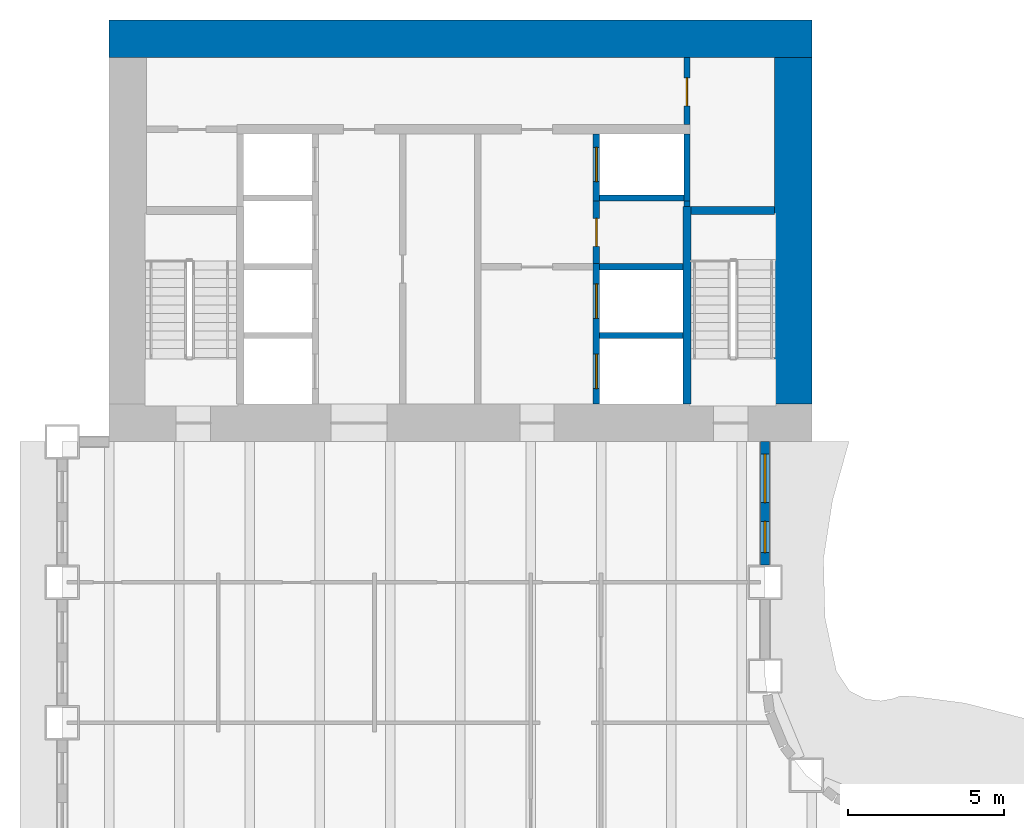
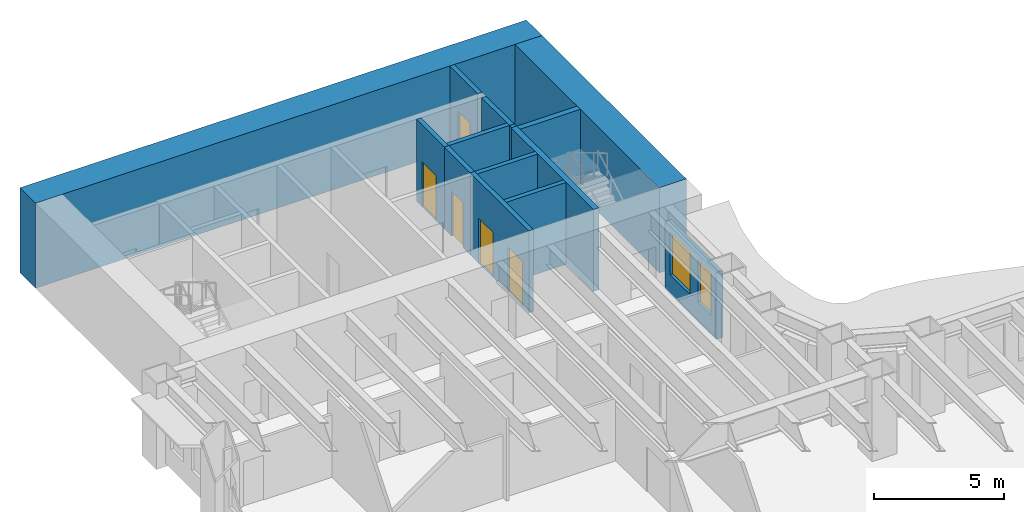
# One storey, part 8 of 15: 14 walls, 5 doors, 2 windows, 7 openings.
"""IFC4 building model written with IfcOpenShell, lengths in metres."""

from ifc_helpers import new_model, si_unit, direction, frame, frame_2d, origin, place, context, subcontext, project, spatial, rectangle, extrude, material, layer, layer_set, type_object, element, fill, save


model = new_model("IFC4")

# Units and contexts
model_context = context("Model", 3, precision=1e-05, world=origin(), true_north=direction((0.0, 1.0)))
body_context = subcontext(model_context, "Body", "Model", "MODEL_VIEW")
ifc_project = project(units=[si_unit("LENGTHUNIT", "METRE"), si_unit("AREAUNIT", "SQUARE_METRE"), si_unit("VOLUMEUNIT", "CUBIC_METRE"), si_unit("PLANEANGLEUNIT", "RADIAN"), si_unit("MASSUNIT", "GRAM", prefix="KILO")], contexts=[model_context])

# Site, building, storey
site_placement = place(None, origin())
site = spatial("IfcSite", under=ifc_project, at=site_placement, CompositionType="ELEMENT")
building_placement = place(site_placement, origin())
building = spatial("IfcBuilding", under=site, at=building_placement, Name="Sennacour Bend Tower", CompositionType="ELEMENT")
storey_placement = place(building_placement, frame((0.0, 0.0, 65.0)))
storey = spatial("IfcBuildingStorey", under=building, at=storey_placement, Name="L14", CompositionType="ELEMENT", Elevation=65.0)

# Walls
ifc_material_1 = material(Name="Concrete C80/95", Category="concrete")
ifc_layer_1 = layer(ifc_material_1, 1.199951171875, Name="Concrete C80/95", Category="concrete")
ifc_layer_set_1 = layer_set([ifc_layer_1], Name="Concrete C80/95")
wall_type_1 = type_object("IfcWallType", Name="Core wall 1200 C80/95", PredefinedType="SHEAR", material=ifc_layer_set_1)
wall_1_placement = place(storey_placement, frame((0.0, 48.89990234375, -0.14990234375), z_axis=(0.0, 0.0, 1.0), x_axis=(1.0, 0.0, 0.0)))
element("IfcWall", 1, at=wall_1_placement, inside=storey, type_object=wall_type_1, Name="Core B wall L14 N", PredefinedType="SHEAR", context=body_context, shape_type="SweptSolid", body=[
    extrude(rectangle(XDim=22.5, YDim=1.199951171875, at=frame_2d((11.25, 0.0))), origin(), (0.0, 0.0, 1.0), 4.0),
])
wall_2_placement = place(storey_placement, frame((21.89990234375, 37.199951171875, -0.14990234375), z_axis=(0.0, 0.0, 1.0), x_axis=(0.0, 1.0, 0.0)))
element("IfcWall", 2, at=wall_2_placement, inside=storey, type_object=wall_type_1, Name="Core B wall L14 E", PredefinedType="SHEAR", context=body_context, shape_type="SweptSolid", body=[
    extrude(rectangle(XDim=11.10009765625, YDim=1.199951171875, at=frame_2d((5.550048828125, 0.0))), origin(), (0.0, 0.0, 1.0), 4.0),
])

# Wall, opening, door
ifc_material_2 = material(Name="Fire-rated plasterboard partition on steel studs", Category="steel")
ifc_layer_2 = layer(ifc_material_2, 0.199951171875, Name="Fire-rated plasterboard partition on steel studs", Category="steel")
ifc_layer_set_2 = layer_set([ifc_layer_2], Name="Fire-rated plasterboard partition on steel studs")
wall_type_2 = type_object("IfcWallType", Name="Rated partition 200", PredefinedType="PARTITIONING", material=ifc_layer_set_2)
wall_3_placement = place(storey_placement, frame((15.60009765625, 41.699951171875, 0.0), z_axis=(0.0, 0.0, 1.0), x_axis=(0.0, 1.0, 0.0)))
wall_3 = element("IfcWall", 3, at=wall_3_placement, inside=storey, type_object=wall_type_2, Name="P-L14-W015", PredefinedType="PARTITIONING", context=body_context, shape_type="SweptSolid", body=[
    extrude(rectangle(XDim=2.0, YDim=0.199951171875, at=frame_2d((1.0, 0.0))), origin(), (0.0, 0.0, 1.0), 3.85009765625),
])
opening_1_placement = place(wall_3_placement, frame((0.550048828125, 0.0, 0.0)))
opening_1 = element("IfcOpeningElement", 4, at=opening_1_placement, cuts=wall_3, Name="Opening SV", PredefinedType="OPENING", context=body_context, shape_type="SweptSolid", body=[
    extrude(rectangle(XDim=0.89990234375, YDim=2.10009765625, at=frame_2d((0.449951171875, 1.050048828125))), frame((0.0, 0.10986328125, 0.0), z_axis=(0.0, -1.0, 0.0), x_axis=(1.0, 0.0, 0.0)), (0.0, 0.0, 1.0), 0.219970703125),
])
ifc_material_3 = material(Name="Painted steel", Category="steel")
door_type_1 = type_object("IfcDoorType", Name="DR-SERVICE-900", OperationType="NOTDEFINED", PredefinedType="DOOR", material=ifc_material_3)
door_1_placement = place(opening_1_placement, origin())
door_1 = element("IfcDoor", 5, at=door_1_placement, inside=storey, type_object=door_type_1, Name="Door", OperationType="SINGLE_SWING_RIGHT", OverallHeight=2.10009765625, OverallWidth=0.89990234375, PredefinedType="DOOR", context=body_context, shape_type="SweptSolid", body=[
    extrude(rectangle(XDim=0.89990234375, YDim=2.10009765625, at=frame_2d((0.449951171875, 1.050048828125))), frame((0.0, 0.02490234375, 0.0), z_axis=(0.0, -1.0, 0.0), x_axis=(1.0, 0.0, 0.0)), (0.0, 0.0, 1.0), 0.050048828125),
])
fill(opening_1, door_1)

# Wall
wall_4_placement = place(storey_placement, frame((18.5, 43.52490234375, 0.0), z_axis=(0.0, 0.0, 1.0), x_axis=(0.0, 1.0, 0.0)))
element("IfcWall", 6, at=wall_4_placement, inside=storey, type_object=wall_type_2, Name="P-L14-W019", PredefinedType="PARTITIONING", context=body_context, shape_type="SweptSolid", body=[
    extrude(rectangle(XDim=0.175048828125, YDim=0.199951171875, at=frame_2d((0.08740234375, 0.0))), origin(), (0.0, 0.0, 1.0), 3.85009765625),
])

# Wall, opening, door
wall_5_placement = place(storey_placement, frame((18.5, 46.14990234375, 0.0), z_axis=(0.0, 0.0, 1.0), x_axis=(0.0, 1.0, 0.0)))
wall_5 = element("IfcWall", 7, at=wall_5_placement, inside=storey, type_object=wall_type_2, Name="P-L14-W021", PredefinedType="PARTITIONING", context=body_context, shape_type="SweptSolid", body=[
    extrude(rectangle(XDim=2.150146484375, YDim=0.199951171875, at=frame_2d((1.0751953125, 0.0))), origin(), (0.0, 0.0, 1.0), 3.85009765625),
])
opening_2_placement = place(wall_5_placement, frame((0.60009765625, 0.0, 0.0)))
opening_2 = element("IfcOpeningElement", 8, at=opening_2_placement, cuts=wall_5, Name="Opening SV", PredefinedType="OPENING", context=body_context, shape_type="SweptSolid", body=[
    extrude(rectangle(XDim=0.89990234375, YDim=2.10009765625, at=frame_2d((0.449951171875, 1.050048828125))), frame((0.0, 0.10986328125, 0.0), z_axis=(0.0, -1.0, 0.0), x_axis=(1.0, 0.0, 0.0)), (0.0, 0.0, 1.0), 0.219970703125),
])
door_2_placement = place(opening_2_placement, origin())
door_2 = element("IfcDoor", 9, at=door_2_placement, inside=storey, type_object=door_type_1, Name="Door", OperationType="SINGLE_SWING_LEFT", OverallHeight=2.10009765625, OverallWidth=0.89990234375, PredefinedType="DOOR", context=body_context, shape_type="SweptSolid", body=[
    extrude(rectangle(XDim=0.89990234375, YDim=2.10009765625, at=frame_2d((0.449951171875, 1.050048828125))), frame((0.0, 0.02490234375, 0.0), z_axis=(0.0, -1.0, 0.0), x_axis=(1.0, 0.0, 0.0)), (0.0, 0.0, 1.0), 0.050048828125),
])
fill(opening_2, door_2)

# Wall, openings, windows
ifc_material_4 = material(Name="Warm limestone cladding", Category="masonry")
ifc_layer_3 = layer(ifc_material_4, 0.050048828125, Name="Warm limestone cladding", Category="masonry")
ifc_material_5 = material(Name="Precast concrete C40/50", Category="concrete")
ifc_layer_4 = layer(ifc_material_5, 0.25, Name="Precast concrete C40/50", Category="concrete")
ifc_layer_set_3 = layer_set([ifc_layer_3, ifc_layer_4], Name="Precast concrete C40/50 with limestone cladding")
wall_type_3 = type_object("IfcWallType", Name="STONE-CLAD PRECAST SPANDREL 300", PredefinedType="STANDARD", material=ifc_layer_set_3)
wall_6_placement = place(storey_placement, frame((21.0, 32.050048828125, 0.0), z_axis=(0.0, 0.0, 1.0), x_axis=(0.0, 1.0, 0.0)))
wall_6 = element("IfcWall", 10, at=wall_6_placement, inside=storey, type_object=wall_type_3, Name="Stone spandrel and pier wall L14 15.01", PredefinedType="STANDARD", context=body_context, shape_type="SweptSolid", body=[
    extrude(rectangle(XDim=3.949951171875, YDim=0.300048828125, at=frame_2d((1.97509765625, 0.0))), origin(), (0.0, 0.0, 1.0), 3.14404296875),
])
opening_3_placement = place(wall_6_placement, frame((0.39990234375, 0.0, 0.89990234375)))
opening_3 = element("IfcOpeningElement", 11, at=opening_3_placement, cuts=wall_6, Name="Opening W8", PredefinedType="OPENING", context=body_context, shape_type="SweptSolid", body=[
    extrude(rectangle(XDim=1.0, YDim=2.0, at=frame_2d((0.5, 1.0))), frame((0.0, 0.16015625, 0.0), z_axis=(0.0, -1.0, 0.0), x_axis=(1.0, 0.0, 0.0)), (0.0, 0.0, 1.0), 0.320068359375),
])
opening_4_placement = place(wall_6_placement, frame((2.0, 0.0, 0.89990234375)))
opening_4 = element("IfcOpeningElement", 12, at=opening_4_placement, cuts=wall_6, Name="Opening W9", PredefinedType="OPENING", context=body_context, shape_type="SweptSolid", body=[
    extrude(rectangle(XDim=1.550048828125, YDim=2.0, at=frame_2d((0.77490234375, 1.0))), frame((0.0, 0.16015625, 0.0), z_axis=(0.0, -1.0, 0.0), x_axis=(1.0, 0.0, 0.0)), (0.0, 0.0, 1.0), 0.320068359375),
])
ifc_material_6 = material(Name="Clear low-emissivity glass", Category="glass")
window_type_1 = type_object("IfcWindowType", Name="WIN-RIBBON-1000x2000", PartitioningType="SINGLE_PANEL", PredefinedType="WINDOW", material=ifc_material_6)
window_1_placement = place(opening_3_placement, origin())
window_1 = element("IfcWindow", 13, at=window_1_placement, inside=storey, type_object=window_type_1, Name="Ribbon window L14 15.01.0", OverallHeight=2.0, OverallWidth=1.0, PartitioningType="SINGLE_PANEL", PredefinedType="WINDOW", context=body_context, shape_type="SweptSolid", body=[
    extrude(rectangle(XDim=1.0, YDim=2.0, at=frame_2d((0.5, 1.0))), frame((0.0, 0.030029296875, 0.0), z_axis=(0.0, -1.0, 0.0), x_axis=(1.0, 0.0, 0.0)), (0.0, 0.0, 1.0), 0.06005859375),
])
fill(opening_3, window_1)
window_type_2 = type_object("IfcWindowType", Name="WIN-RIBBON-1550x2000", PartitioningType="SINGLE_PANEL", PredefinedType="WINDOW", material=ifc_material_6)
window_2_placement = place(opening_4_placement, origin())
window_2 = element("IfcWindow", 14, at=window_2_placement, inside=storey, type_object=window_type_2, Name="Ribbon window L14 15.01.1", OverallHeight=2.0, OverallWidth=1.550048828125, PartitioningType="SINGLE_PANEL", PredefinedType="WINDOW", context=body_context, shape_type="SweptSolid", body=[
    extrude(rectangle(XDim=1.550048828125, YDim=2.0, at=frame_2d((0.77490234375, 1.0))), frame((0.0, 0.030029296875, 0.0), z_axis=(0.0, -1.0, 0.0), x_axis=(1.0, 0.0, 0.0)), (0.0, 0.0, 1.0), 0.06005859375),
])
fill(opening_4, window_2)

# Wall, openings, doors
ifc_material_7 = material(Name="Concrete C50/60", Category="concrete")
ifc_layer_5 = layer(ifc_material_7, 0.199951171875, Name="Concrete C50/60", Category="concrete")
ifc_layer_set_4 = layer_set([ifc_layer_5], Name="Concrete C50/60")
wall_type_4 = type_object("IfcWallType", Name="Shaft wall 200", PredefinedType="SOLIDWALL", material=ifc_layer_set_4)
wall_7_placement = place(storey_placement, frame((15.60009765625, 37.199951171875, 0.0), z_axis=(0.0, 0.0, 1.0), x_axis=(0.0, 1.0, 0.0)))
wall_7 = element("IfcWall", 15, at=wall_7_placement, inside=storey, type_object=wall_type_4, Name="P-L14-W014", PredefinedType="SOLIDWALL", context=body_context, shape_type="SweptSolid", body=[
    extrude(rectangle(XDim=4.5, YDim=0.199951171875, at=frame_2d((2.25, 0.0))), origin(), (0.0, 0.0, 1.0), 3.85009765625),
])
opening_5_placement = place(wall_7_placement, frame((0.5, 0.0, 0.011962890625)))
opening_5 = element("IfcOpeningElement", 16, at=opening_5_placement, cuts=wall_7, Name="Opening FLD", PredefinedType="OPENING", context=body_context, shape_type="SweptSolid", body=[
    extrude(rectangle(XDim=1.10009765625, YDim=2.10009765625, at=frame_2d((0.550048828125, 1.050048828125))), frame((0.0, 0.10986328125, 0.0), z_axis=(0.0, -1.0, 0.0), x_axis=(1.0, 0.0, 0.0)), (0.0, 0.0, 1.0), 0.219970703125),
])
opening_6_placement = place(wall_7_placement, frame((2.75, 0.0, 0.011962890625)))
opening_6 = element("IfcOpeningElement", 17, at=opening_6_placement, cuts=wall_7, Name="Opening FLD", PredefinedType="OPENING", context=body_context, shape_type="SweptSolid", body=[
    extrude(rectangle(XDim=1.10009765625, YDim=2.10009765625, at=frame_2d((0.550048828125, 1.050048828125))), frame((0.0, 0.10986328125, 0.0), z_axis=(0.0, -1.0, 0.0), x_axis=(1.0, 0.0, 0.0)), (0.0, 0.0, 1.0), 0.219970703125),
])
ifc_material_8 = material(Name="Stainless steel", Category="steel")
door_type_2 = type_object("IfcDoorType", Name="DR-FF-LANDING-1100", OperationType="NOTDEFINED", PredefinedType="DOOR", material=ifc_material_8)
door_3_placement = place(opening_5_placement, origin())
door_3 = element("IfcDoor", 18, at=door_3_placement, inside=storey, type_object=door_type_2, Name="Fire service lift landing door FB1", OperationType="SLIDING_TO_LEFT", OverallHeight=2.10009765625, OverallWidth=1.10009765625, PredefinedType="DOOR", context=body_context, shape_type="SweptSolid", body=[
    extrude(rectangle(XDim=1.10009765625, YDim=2.10009765625, at=frame_2d((0.550048828125, 1.050048828125))), frame((0.0, 0.02490234375, 0.0), z_axis=(0.0, -1.0, 0.0), x_axis=(1.0, 0.0, 0.0)), (0.0, 0.0, 1.0), 0.050048828125),
])
fill(opening_5, door_3)
door_4_placement = place(opening_6_placement, origin())
door_4 = element("IfcDoor", 19, at=door_4_placement, inside=storey, type_object=door_type_2, Name="Fire service lift landing door FB2", OperationType="SLIDING_TO_RIGHT", OverallHeight=2.10009765625, OverallWidth=1.10009765625, PredefinedType="DOOR", context=body_context, shape_type="SweptSolid", body=[
    extrude(rectangle(XDim=1.10009765625, YDim=2.10009765625, at=frame_2d((0.550048828125, 1.050048828125))), frame((0.0, 0.02490234375, 0.0), z_axis=(0.0, -1.0, 0.0), x_axis=(1.0, 0.0, 0.0)), (0.0, 0.0, 1.0), 0.050048828125),
])
fill(opening_6, door_4)

# Wall, opening, door
wall_8_placement = place(storey_placement, frame((15.60009765625, 43.699951171875, 0.0), z_axis=(0.0, 0.0, 1.0), x_axis=(0.0, 1.0, 0.0)))
wall_8 = element("IfcWall", 20, at=wall_8_placement, inside=storey, type_object=wall_type_4, Name="P-L14-W016", PredefinedType="SOLIDWALL", context=body_context, shape_type="SweptSolid", body=[
    extrude(rectangle(XDim=2.150146484375, YDim=0.199951171875, at=frame_2d((1.0751953125, 0.0))), origin(), (0.0, 0.0, 1.0), 3.85009765625),
])
opening_7_placement = place(wall_8_placement, frame((0.625, 0.0, 0.011962890625)))
opening_7 = element("IfcOpeningElement", 21, at=opening_7_placement, cuts=wall_8, Name="Opening LD", PredefinedType="OPENING", context=body_context, shape_type="SweptSolid", body=[
    extrude(rectangle(XDim=1.10009765625, YDim=2.10009765625, at=frame_2d((0.550048828125, 1.050048828125))), frame((0.0, 0.10986328125, 0.0), z_axis=(0.0, -1.0, 0.0), x_axis=(1.0, 0.0, 0.0)), (0.0, 0.0, 1.0), 0.219970703125),
])
door_type_3 = type_object("IfcDoorType", Name="DR-LANDING-1100", OperationType="NOTDEFINED", PredefinedType="DOOR", material=ifc_material_8)
door_5_placement = place(opening_7_placement, origin())
door_5 = element("IfcDoor", 22, at=door_5_placement, inside=storey, type_object=door_type_3, Name="Lift landing door LB5", OperationType="SLIDING_TO_LEFT", OverallHeight=2.10009765625, OverallWidth=1.10009765625, PredefinedType="DOOR", context=body_context, shape_type="SweptSolid", body=[
    extrude(rectangle(XDim=1.10009765625, YDim=2.10009765625, at=frame_2d((0.550048828125, 1.050048828125))), frame((0.0, 0.02490234375, 0.0), z_axis=(0.0, -1.0, 0.0), x_axis=(1.0, 0.0, 0.0)), (0.0, 0.0, 1.0), 0.050048828125),
])
fill(opening_7, door_5)

# Walls
wall_9_placement = place(storey_placement, frame((18.5, 43.699951171875, 0.0), z_axis=(0.0, 0.0, 1.0), x_axis=(0.0, 1.0, 0.0)))
element("IfcWall", 23, at=wall_9_placement, inside=storey, type_object=wall_type_4, Name="P-L14-W020", PredefinedType="SOLIDWALL", context=body_context, shape_type="SweptSolid", body=[
    extrude(rectangle(XDim=2.150146484375, YDim=0.199951171875, at=frame_2d((1.0751953125, 0.0))), origin(), (0.0, 0.0, 1.0), 3.85009765625),
])
for number, where, z_axis, x_axis, name in (
    (24, (15.699951171875, 39.39990234375, 0.0), (0.0, 0.0, 1.0), (1.0, 0.0, 0.0), "P-L14-W073"),
    (25, (15.699951171875, 41.60009765625, 0.0), (0.0, 0.0, 1.0), (1.0, 0.0, 0.0), "P-L14-W076"),
):
    element("IfcWall", number, at=place(storey_placement, frame(where, z_axis=z_axis, x_axis=x_axis)), inside=storey, type_object=wall_type_4, Name=name, PredefinedType="SOLIDWALL", context=body_context, shape_type="SweptSolid", body=[
        extrude(rectangle(XDim=2.675048828125, YDim=0.199951171875, at=frame_2d((1.33740234375, 0.0))), origin(), (0.0, 0.0, 1.0), 3.85009765625),
    ])
wall_10_placement = place(storey_placement, frame((15.699951171875, 43.800048828125, 0.0), z_axis=(0.0, 0.0, 1.0), x_axis=(1.0, 0.0, 0.0)))
element("IfcWall", 26, at=wall_10_placement, inside=storey, type_object=wall_type_4, Name="P-L14-W080", PredefinedType="SOLIDWALL", context=body_context, shape_type="SweptSolid", body=[
    extrude(rectangle(XDim=2.699951171875, YDim=0.199951171875, at=frame_2d((1.35009765625, 0.0))), origin(), (0.0, 0.0, 1.0), 3.85009765625),
])
ifc_material_9 = material(Name="Concrete C60/75", Category="concrete")
ifc_layer_6 = layer(ifc_material_9, 0.25, Name="Concrete C60/75", Category="concrete")
ifc_layer_set_5 = layer_set([ifc_layer_6], Name="Concrete C60/75")
wall_type_5 = type_object("IfcWallType", Name="Stair wall 250", PredefinedType="SHEAR", material=ifc_layer_set_5)
wall_11_placement = place(storey_placement, frame((18.5, 37.199951171875, 0.0), z_axis=(0.0, 0.0, 1.0), x_axis=(0.0, 1.0, 0.0)))
element("IfcWall", 27, at=wall_11_placement, inside=storey, type_object=wall_type_5, Name="P-L14-W018", PredefinedType="SHEAR", context=body_context, shape_type="SweptSolid", body=[
    extrude(rectangle(XDim=6.324951171875, YDim=0.25, at=frame_2d((3.16259765625, 0.0))), origin(), (0.0, 0.0, 1.0), 3.85009765625),
])
wall_12_placement = place(storey_placement, frame((18.625, 43.39990234375, 0.0), z_axis=(0.0, 0.0, 1.0), x_axis=(1.0, 0.0, 0.0)))
element("IfcWall", 28, at=wall_12_placement, inside=storey, type_object=wall_type_5, Name="P-L14-W078", PredefinedType="SHEAR", context=body_context, shape_type="SweptSolid", body=[
    extrude(rectangle(XDim=2.675048828125, YDim=0.25, at=frame_2d((1.33740234375, 0.0))), origin(), (0.0, 0.0, 1.0), 3.85009765625),
])

save(model, "model.ifc")
